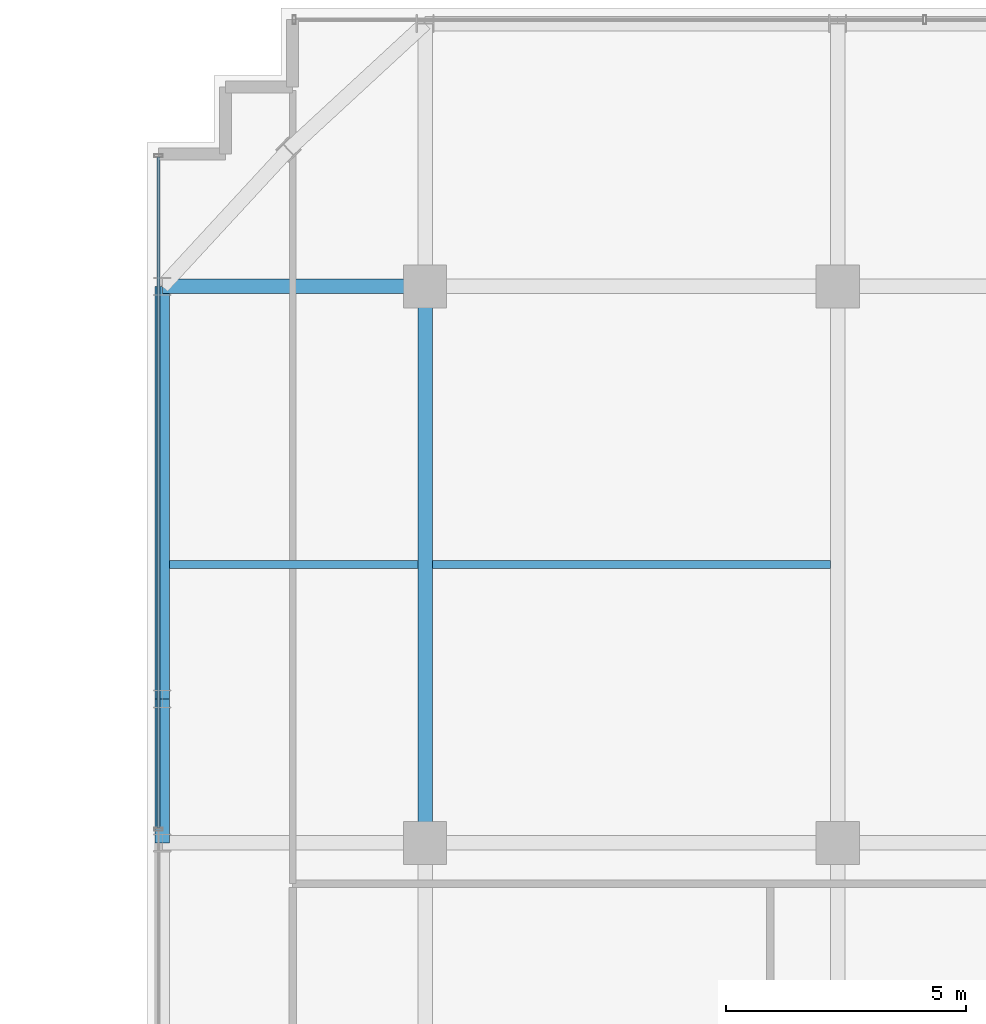
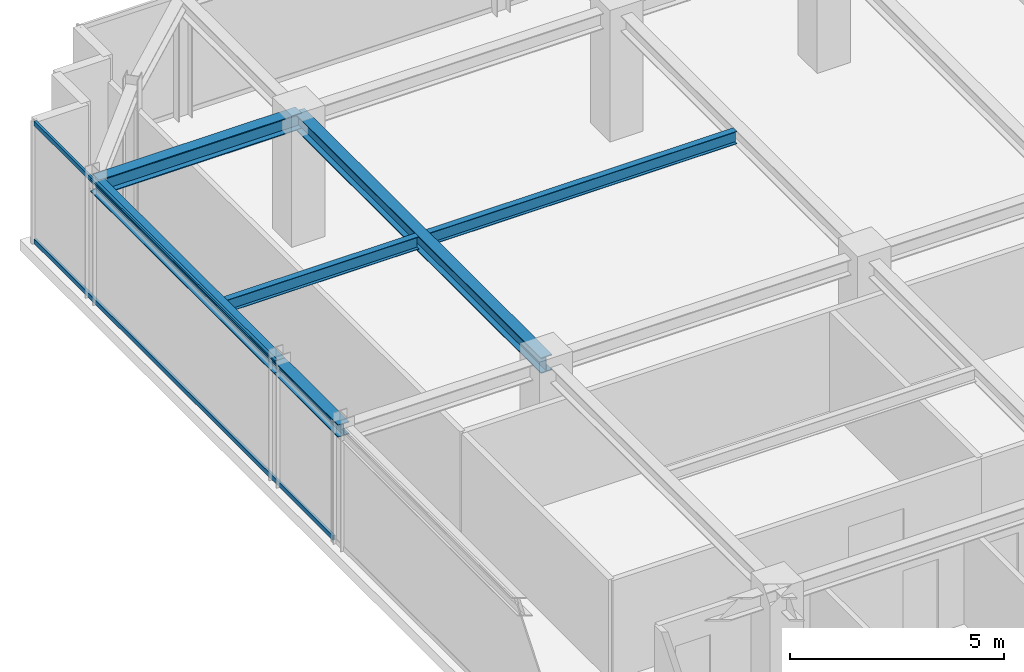
# One storey, part 17 of 31: 6 beams, 2 members, 1 element without a shape of its own.
"""IFC4 building model written with IfcOpenShell, lengths in metres."""

import ifcopenshell
import ifcopenshell.guid

model = None  # the IFC model being written
_history = None  # IfcOwnerHistory: only IFC2X3 demands one
_inside = {}  # id of a spatial element -> (the spatial element, [elements in it])
_under = {}  # id of a project, library or spatial element -> (it, [spatial elements below it])
_declared = {}  # id of a project -> (the project, [libraries it declares])
_typed = {}  # id of a type object -> (the type object, [elements of that type])
_made_of = {}  # id of a material, layer set ... -> (it, [elements and type objects made of it])


def new_model(schema):
    """Start an empty IFC model of exactly this schema.

    Asked for "IFC4X3", IfcOpenShell would pick the latest addendum, in which some entities
    have other attributes; the version numbers below select the first issue.
    IFC2X3 requires an IfcOwnerHistory on every rooted entity: one is made here for all.
    """
    global model, _history
    if schema == "IFC4X3":
        model = ifcopenshell.file(schema_version=(4, 3, 0, 0))
    else:
        model = ifcopenshell.file(schema=schema)
    _inside.clear()
    _under.clear()
    _declared.clear()
    _typed.clear()
    _made_of.clear()
    _history = None
    if model.schema == "IFC2X3":
        org = make("IfcOrganization", Name="unknown")
        user = make(
            "IfcPersonAndOrganization",
            ThePerson=make("IfcPerson", FamilyName="unknown"),
            TheOrganization=org,
        )
        app = make(
            "IfcApplication",
            ApplicationDeveloper=org,
            Version="unknown",
            ApplicationFullName="unknown",
            ApplicationIdentifier="unknown",
        )
        _history = make(
            "IfcOwnerHistory",
            OwningUser=user,
            OwningApplication=app,
            ChangeAction="ADDED",
            CreationDate=0,
        )
    return model


def make(cls, **values):
    """One entity of the class cls with the attributes given. An attribute that is None is left unset."""
    return model.create_entity(
        cls, **{name: value for name, value in values.items() if value is not None}
    )


def rooted(cls, **values):
    """An entity with a GlobalId (a new one), such as an element, a storey or a relation."""
    return make(cls, GlobalId=ifcopenshell.guid.new(), OwnerHistory=_history, **values)


def si_unit(unit_type, name, prefix=None):
    """IfcSIUnit, for example si_unit("LENGTHUNIT", "METRE", prefix="MILLI")."""
    return make("IfcSIUnit", UnitType=unit_type, Prefix=prefix, Name=name)


def assignment(units):
    """IfcUnitAssignment: the units of a project."""
    return None if units is None else make("IfcUnitAssignment", Units=units)


def point(xyz):
    """IfcCartesianPoint."""
    return None if xyz is None else make("IfcCartesianPoint", Coordinates=xyz)


def direction(xyz):
    """IfcDirection."""
    return None if xyz is None else make("IfcDirection", DirectionRatios=xyz)


def frame(location, z_axis=None, x_axis=None):
    """IfcAxis2Placement3D, a coordinate frame: its origin and axes. An axis left out is left unset."""
    return make(
        "IfcAxis2Placement3D",
        Location=point(location),
        Axis=direction(z_axis),
        RefDirection=direction(x_axis),
    )


def frame_2d(location, x_axis=None):
    """IfcAxis2Placement2D, a coordinate frame in the plane: its origin and x axis."""
    return make(
        "IfcAxis2Placement2D", Location=point(location), RefDirection=direction(x_axis)
    )


def origin():
    """The frame at (0, 0, 0) with its axes left unset."""
    return frame((0.0, 0.0, 0.0))


def origin_2d():
    """The frame at (0, 0) in the plane with its x axis left unset."""
    return frame_2d((0.0, 0.0))


def place(relative_to, where):
    """IfcLocalPlacement: puts the frame where relative to a parent placement (None: the world)."""
    return make(
        "IfcLocalPlacement", PlacementRelTo=relative_to, RelativePlacement=where
    )


def context(
    kind, dimensions, precision=None, world=None, true_north=None, identifier=None
):
    """IfcGeometricRepresentationContext, for example the 3D "Model" context."""
    return make(
        "IfcGeometricRepresentationContext",
        ContextIdentifier=identifier,
        ContextType=kind,
        CoordinateSpaceDimension=dimensions,
        Precision=precision,
        WorldCoordinateSystem=world,
        TrueNorth=true_north,
    )


def subcontext(parent, identifier, kind, view, scale=None):
    """IfcGeometricRepresentationSubContext, for example "Body" below "Model"."""
    return make(
        "IfcGeometricRepresentationSubContext",
        ContextIdentifier=identifier,
        ContextType=kind,
        ParentContext=parent,
        TargetScale=scale,
        TargetView=view,
    )


def project(units=None, contexts=None):
    """IfcProject with its units and contexts."""
    return rooted(
        "IfcProject",
        Name="project",
        RepresentationContexts=contexts,
        UnitsInContext=assignment(units),
    )


def spatial(cls, under=None, at=None, **own):
    """A site, building, storey or space (cls), placed at a placement, below another one or the project."""
    s = rooted(cls, ObjectPlacement=at, **own)
    if under is not None:
        _under.setdefault(under.id(), (under, []))[1].append(s)
    return s


def profile(cls, at=None, kind="AREA", **sizes):
    """A parametric profile (cls). Its sizes go by their IFC names, for example OverallWidth=200.0."""
    return make(cls, ProfileType=kind, Position=at, **sizes)


def hollow_rectangle(**sizes):
    """IfcRectangleHollowProfileDef."""
    return profile("IfcRectangleHollowProfileDef", **sizes)


def i_section(**sizes):
    """IfcIShapeProfileDef."""
    return profile("IfcIShapeProfileDef", **sizes)


def extrude(swept, where, along, depth):
    """IfcExtrudedAreaSolid: the profile swept, set in the frame where, extruded along a direction by depth."""
    return make(
        "IfcExtrudedAreaSolid",
        SweptArea=swept,
        Position=where,
        ExtrudedDirection=direction(along),
        Depth=depth,
    )


def shape(context_of_items, identifier, shape_type, items):
    """IfcShapeRepresentation: the items that make up one representation, for example the "Body"."""
    return make(
        "IfcShapeRepresentation",
        ContextOfItems=context_of_items,
        RepresentationIdentifier=identifier,
        RepresentationType=shape_type,
        Items=items,
    )


def source(mapping_origin, context_of_items, identifier, shape_type, items):
    """IfcRepresentationMap: a shape defined once, which mapped items show again and again."""
    return make(
        "IfcRepresentationMap",
        MappingOrigin=mapping_origin,
        MappedRepresentation=shape(context_of_items, identifier, shape_type, items),
    )


def transform(
    local_origin,
    x_axis=None,
    y_axis=None,
    z_axis=None,
    scale=None,
    scale2=None,
    scale3=None,
    uniform=True,
):
    """IfcCartesianTransformationOperator3D, or its non-uniform kind. x_axis, y_axis, z_axis: its Axis1, 2, 3."""
    if uniform:
        return make(
            "IfcCartesianTransformationOperator3D",
            Axis1=direction(x_axis),
            Axis2=direction(y_axis),
            LocalOrigin=point(local_origin),
            Scale=scale,
            Axis3=direction(z_axis),
        )
    return make(
        "IfcCartesianTransformationOperator3DnonUniform",
        Axis1=direction(x_axis),
        Axis2=direction(y_axis),
        LocalOrigin=point(local_origin),
        Scale=scale,
        Axis3=direction(z_axis),
        Scale2=scale2,
        Scale3=scale3,
    )


def mapped(mapping_source, mapping_target):
    """IfcMappedItem: shows the shape of a source again, moved by a transform."""
    return make(
        "IfcMappedItem", MappingSource=mapping_source, MappingTarget=mapping_target
    )


def material(Name=None, Category=None):
    """IfcMaterial."""
    return make("IfcMaterial", Name=Name, Category=Category)


def material_profile(
    of_material, cross_section, Name=None, Category=None, Priority=None
):
    """IfcMaterialProfile: a cross section and its material."""
    return make(
        "IfcMaterialProfile",
        Name=Name,
        Material=of_material,
        Profile=cross_section,
        Priority=Priority,
        Category=Category,
    )


def profile_set(profiles, Name=None, composite=None):
    """IfcMaterialProfileSet."""
    return make(
        "IfcMaterialProfileSet",
        Name=Name,
        MaterialProfiles=profiles,
        CompositeProfile=composite,
    )


def made_of(thing, what):
    """Note that an element or type object is made of a material, layer set ...; save() writes the relation."""
    if what is not None:
        _made_of.setdefault(what.id(), (what, []))[1].append(thing)
    return thing


def type_object(cls, material=None, **own):
    """A type object (cls), such as IfcWallType, which elements share."""
    return made_of(rooted(cls, **own), material)


def element(
    cls,
    number,
    at=None,
    inside=None,
    cuts=None,
    type_object=None,
    material=None,
    context=None,
    identifier="Body",
    shape_type=None,
    held_by="IfcProductDefinitionShape",
    body=None,
    shapes=None,
    **own,
):
    """One element of the class cls, such as IfcWall. Its Tag is "e" and its number.

    at: its placement. inside: the storey or other place that contains it. cuts: it is an
    opening in that element (IfcRelVoidsElement). A single representation is given by context,
    identifier, shape_type and body (its items); several are given by shapes. held_by: the class
    of the entity that holds the representations. save() writes the other relations.
    """
    e = rooted(cls, Tag="e%d" % number, ObjectPlacement=at, **own)
    if body is not None:
        shapes = [shape(context, identifier, shape_type, body)]
    if shapes is not None:
        e.Representation = make(held_by, Representations=shapes)
    if inside is not None:
        _inside.setdefault(inside.id(), (inside, []))[1].append(e)
    if cuts is not None:
        rooted(
            "IfcRelVoidsElement", RelatingBuildingElement=cuts, RelatedOpeningElement=e
        )
    if type_object is not None:
        _typed.setdefault(type_object.id(), (type_object, []))[1].append(e)
    return made_of(e, material)


def aggregate(whole, parts):
    """IfcRelAggregates: a whole, such as a stair, and the parts it consists of."""
    return rooted("IfcRelAggregates", RelatingObject=whole, RelatedObjects=parts)


def save(model, path):
    """Write the relations noted so far, then the file.

    IfcRelAggregates (storeys below a building ...), IfcRelContainedInSpatialStructure (elements
    in a storey), IfcRelDefinesByType, IfcRelAssociatesMaterial and IfcRelDeclares: one each for
    every whole, place, type object, material and project.
    """
    for whole, parts in _under.values():
        aggregate(whole, parts)
    for where, things in _inside.values():
        rooted(
            "IfcRelContainedInSpatialStructure",
            RelatedElements=things,
            RelatingStructure=where,
        )
    for kind, things in _typed.values():
        rooted("IfcRelDefinesByType", RelatedObjects=things, RelatingType=kind)
    for what, things in _made_of.values():
        rooted("IfcRelAssociatesMaterial", RelatedObjects=things, RelatingMaterial=what)
    for by, libraries in _declared.values():
        rooted("IfcRelDeclares", RelatingContext=by, RelatedDefinitions=libraries)
    model.write(path)


model = new_model("IFC4")

# Units and contexts
model_context = context("Model", 3, precision=1e-05, world=origin(), true_north=direction((0.0, 1.0)))
body_context = subcontext(model_context, "Body", "Model", "MODEL_VIEW")
ifc_project = project(units=[si_unit("LENGTHUNIT", "METRE"), si_unit("AREAUNIT", "SQUARE_METRE"), si_unit("VOLUMEUNIT", "CUBIC_METRE"), si_unit("PLANEANGLEUNIT", "RADIAN"), si_unit("MASSUNIT", "GRAM", prefix="KILO")], contexts=[model_context])

# Site, building, storey
site_placement = place(None, origin())
site = spatial("IfcSite", under=ifc_project, at=site_placement, CompositionType="ELEMENT")
building_placement = place(site_placement, origin())
building = spatial("IfcBuilding", under=site, at=building_placement, Name="Nahalor Promenade Grand Hotel", CompositionType="ELEMENT")
storey_placement = place(building_placement, frame((0.0, 0.0, 323.35009765625)))
storey = spatial("IfcBuildingStorey", under=building, at=storey_placement, Name="L83", CompositionType="ELEMENT", Elevation=323.35009765625)

# Beams
ifc_material_1 = material(Name="Steel S355JR", Category="steel")
ifc_material_profile_1 = material_profile(ifc_material_1, i_section(OverallWidth=0.3, OverallDepth=0.45, WebThickness=0.014, FlangeThickness=0.026, at=origin_2d()), Name="HEB 450")
ifc_profile_set_1 = profile_set([ifc_material_profile_1], Name="Steel S355JR")
beam_type_1 = type_object("IfcBeamType", Name="Beam-Girder-HEB450", PredefinedType="BEAM", material=ifc_profile_set_1)
shared_shape_1 = source(origin(), body_context, "Body", "SweptSolid", [
    extrude(i_section(OverallWidth=0.3, OverallDepth=0.45, WebThickness=0.014, FlangeThickness=0.026, at=origin_2d()), origin(), (0.0, 0.0, 1.0), 11.60009765625),
])
beam_1_placement = place(storey_placement, frame((-17.0, 5.39990234375, 3.27490234375), z_axis=(0.0, 1.0, 0.0), x_axis=(-1.0, 0.0, 0.0)))
element("IfcBeam", 1, at=beam_1_placement, inside=storey, type_object=beam_type_1, Name="BM-L83-GY-0-3", PredefinedType="BEAM", context=body_context, shape_type="MappedRepresentation", body=[
    mapped(shared_shape_1, transform((0.0, 0.0, 0.0), scale=1.0)),
])
shared_shape_2 = source(origin(), body_context, "Body", "SweptSolid", [
    extrude(i_section(OverallWidth=0.3, OverallDepth=0.45, WebThickness=0.014, FlangeThickness=0.026, at=origin_2d()), origin(), (0.0, 0.0, 1.0), 5.47998046875),
])
beam_2_placement = place(storey_placement, frame((-22.47998046875, 17.0, 3.27490234375), z_axis=(1.0, 0.0, 0.0), x_axis=(0.0, 1.0, 0.0)))
element("IfcBeam", 2, at=beam_2_placement, inside=storey, type_object=beam_type_1, Name="BM-L83-GX-3-0", PredefinedType="BEAM", context=body_context, shape_type="MappedRepresentation", body=[
    mapped(shared_shape_2, transform((0.0, 0.0, 0.0), scale=1.0)),
])
ifc_material_profile_2 = material_profile(ifc_material_1, i_section(OverallWidth=0.3, OverallDepth=0.36, WebThickness=0.0125, FlangeThickness=0.0225, at=origin_2d()), Name="HEB 360")
ifc_profile_set_2 = profile_set([ifc_material_profile_2], Name="Steel S355JR")
beam_type_2 = type_object("IfcBeamType", Name="Beam-Spandrel-HEB360", PredefinedType="SPANDREL", material=ifc_profile_set_2)
shared_shape_3 = source(origin(), body_context, "Body", "SweptSolid", [
    extrude(i_section(OverallWidth=0.3, OverallDepth=0.36, WebThickness=0.0125, FlangeThickness=0.0225, at=origin_2d()), origin(), (0.0, 0.0, 1.0), 8.60009765625),
])
beam_3_placement = place(storey_placement, frame((-22.47998046875, 8.39990234375, 3.31982421875), z_axis=(0.0, 1.0, 0.0), x_axis=(-1.0, 0.0, 0.0)))
element("IfcBeam", 3, at=beam_3_placement, inside=storey, type_object=beam_type_2, Name="BM-L83-SP-W-4", PredefinedType="SPANDREL", context=body_context, shape_type="MappedRepresentation", body=[
    mapped(shared_shape_3, transform((0.0, 0.0, 0.0), scale=1.0)),
])
shared_shape_4 = source(origin(), body_context, "Body", "SweptSolid", [
    extrude(i_section(OverallWidth=0.3, OverallDepth=0.36, WebThickness=0.0125, FlangeThickness=0.0225, at=origin_2d()), origin(), (0.0, 0.0, 1.0), 3.0),
])
beam_4_placement = place(storey_placement, frame((-22.47998046875, 5.39990234375, 3.31982421875), z_axis=(0.0, 1.0, 0.0), x_axis=(-1.0, 0.0, 0.0)))
element("IfcBeam", 4, at=beam_4_placement, inside=storey, type_object=beam_type_2, Name="BM-L83-SP-W-3", PredefinedType="SPANDREL", context=body_context, shape_type="MappedRepresentation", body=[
    mapped(shared_shape_4, transform((0.0, 0.0, 0.0), scale=1.0)),
])
ifc_material_profile_3 = material_profile(ifc_material_1, i_section(OverallWidth=0.17, OverallDepth=0.36, WebThickness=0.008, FlangeThickness=0.0127, at=origin_2d()), Name="IPE 360")
ifc_profile_set_3 = profile_set([ifc_material_profile_3], Name="Steel S355JR")
beam_type_3 = type_object("IfcBeamType", Name="Beam-Joist-IPE360", PredefinedType="JOIST", material=ifc_profile_set_3)
shared_shape_5 = source(origin(), body_context, "Body", "SweptSolid", [
    extrude(i_section(OverallWidth=0.17, OverallDepth=0.36, WebThickness=0.008, FlangeThickness=0.0127, at=origin_2d()), origin(), (0.0, 0.0, 1.0), 5.18017578125),
])
beam_5_placement = place(storey_placement, frame((-22.330078125, 11.199951171875, 3.31982421875), z_axis=(1.0, 0.0, 0.0), x_axis=(0.0, 1.0, 0.0)))
element("IfcBeam", 5, at=beam_5_placement, inside=storey, type_object=beam_type_3, Name="BM-L83-JSW-1-0", PredefinedType="JOIST", context=body_context, shape_type="MappedRepresentation", body=[
    mapped(shared_shape_5, transform((0.0, 0.0, 0.0), scale=1.0)),
])
shared_shape_6 = source(origin(), body_context, "Body", "SweptSolid", [
    extrude(i_section(OverallWidth=0.17, OverallDepth=0.36, WebThickness=0.008, FlangeThickness=0.0127, at=origin_2d()), origin(), (0.0, 0.0, 1.0), 8.300048828125),
])
beam_6_placement = place(storey_placement, frame((-16.85009765625, 11.199951171875, 3.31982421875), z_axis=(1.0, 0.0, 0.0), x_axis=(0.0, 1.0, 0.0)))
element("IfcBeam", 6, at=beam_6_placement, inside=storey, type_object=beam_type_3, Name="BM-L83-JSW-1-1", PredefinedType="JOIST", context=body_context, shape_type="MappedRepresentation", body=[
    mapped(shared_shape_6, transform((0.0, 0.0, 0.0), scale=1.0)),
])

# Curtain wall, members
ifc_material_2 = material(Name="Anodised Bronze Aluminium EN AW-6063 T6", Category="aluminium")
curtain_wall_type = type_object("IfcCurtainWallType", Name="CW2 Typical Hotel Flush Bronze Unitised Curtain Wall", PredefinedType="USERDEFINED", material=ifc_material_2)
curtain_wall_placement = place(storey_placement, origin())
curtain_wall = element("IfcCurtainWall", 7, at=curtain_wall_placement, inside=storey, type_object=curtain_wall_type, Name="L83 Curtain Wall CW-L83-W-3", ObjectType="UNITISED_CURTAIN_WALL", PredefinedType="USERDEFINED")
ifc_material_profile_4 = material_profile(ifc_material_2, hollow_rectangle(XDim=0.065, YDim=0.13, WallThickness=0.004, at=origin_2d()), Name="CWT 65x130x4")
ifc_profile_set_4 = profile_set([ifc_material_profile_4], Name="Anodised Bronze Aluminium EN AW-6063 T6")
member_type = type_object("IfcMemberType", Name="CWT2 Typical Bronze Transom 65x130", PredefinedType="USERDEFINED", material=ifc_profile_set_4)
shared_shape_7 = source(origin(), body_context, "Body", "SweptSolid", [
    extrude(hollow_rectangle(XDim=0.065, YDim=0.13, WallThickness=0.004, at=origin_2d()), origin(), (0.0, 0.0, 1.0), 13.982666015625),
])
member_1_placement = place(storey_placement, frame((-22.56005859375, 5.71240234375, 0.06494140625), z_axis=(0.0, 1.0, 0.0), x_axis=(-1.0, 0.0, 0.0)))
member_1 = element("IfcMember", 8, at=member_1_placement, type_object=member_type, Name="CW-L83-W-3 Transom 1-0", ObjectType="TRANSOM", PredefinedType="USERDEFINED", context=body_context, shape_type="MappedRepresentation", body=[
    mapped(shared_shape_7, transform((0.0, 0.0, 0.0), scale=1.0)),
])
member_2_placement = place(storey_placement, frame((-22.56005859375, 5.71240234375, 3.434814453125), z_axis=(0.0, 1.0, 0.0), x_axis=(-1.0, 0.0, 0.0)))
member_2 = element("IfcMember", 9, at=member_2_placement, type_object=member_type, Name="CW-L83-W-3 Transom 1-1", ObjectType="TRANSOM", PredefinedType="USERDEFINED", context=body_context, shape_type="MappedRepresentation", body=[
    mapped(shared_shape_7, transform((0.0, 0.0, 0.0), scale=1.0)),
])
aggregate(curtain_wall, [member_1, member_2])

save(model, "model.ifc")
